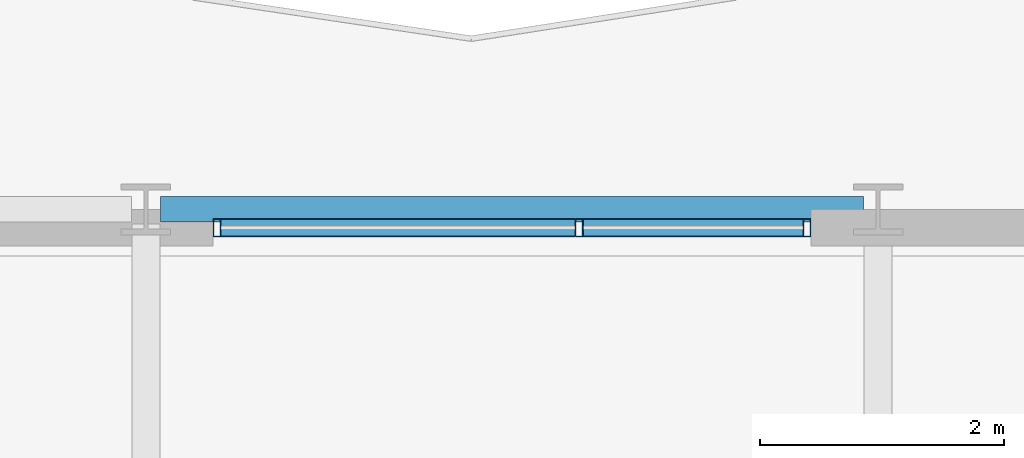
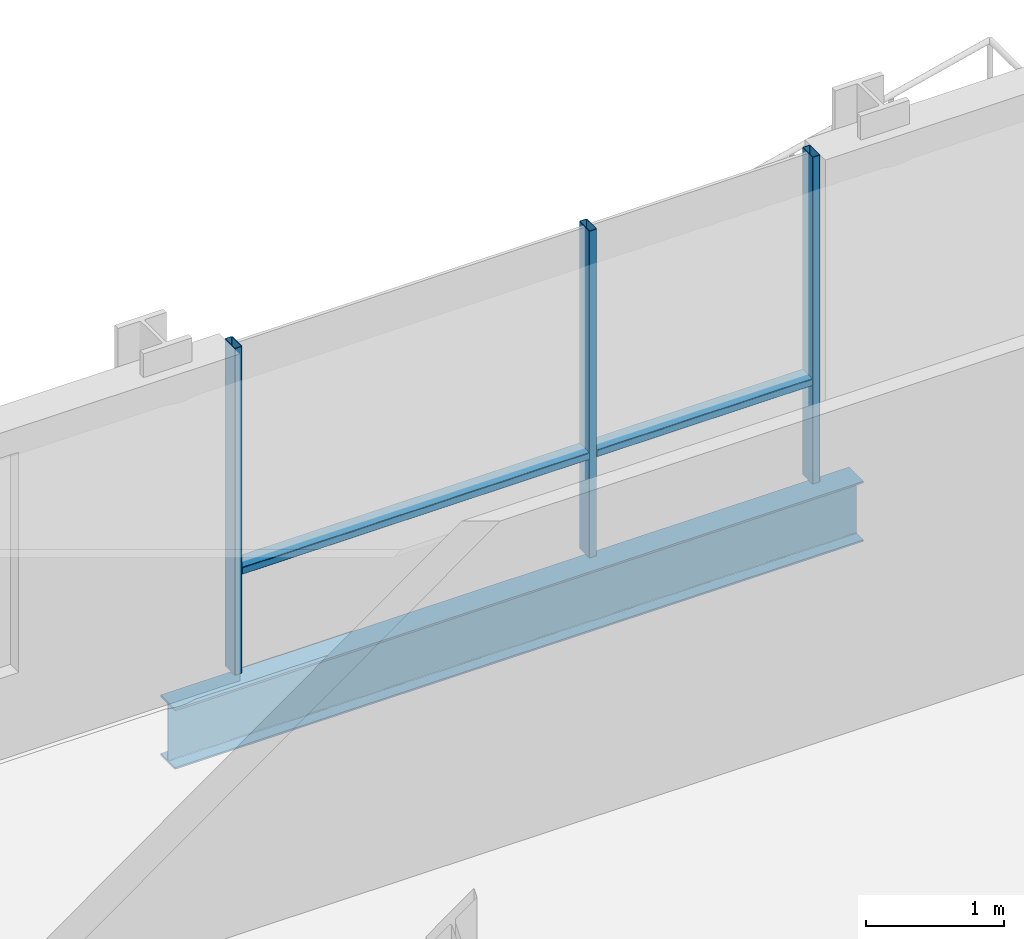
# One storey, part 26 of 41: 5 members, 1 beam, 1 element without a shape of its own.
"""IFC4 building model written with IfcOpenShell, lengths in metres."""

from ifc_helpers import new_model, si_unit, direction, frame, origin, origin_2d, place, context, subcontext, project, spatial, hollow_rectangle, i_section, extrude, material, layer, layer_set, material_profile, profile_set, type_object, element, aggregate, save


model = new_model("IFC4")

# Units and contexts
model_context = context("Model", 3, precision=1e-05, world=origin(), true_north=direction((0.0, 1.0)))
body_context = subcontext(model_context, "Body", "Model", "MODEL_VIEW")
ifc_project = project(units=[si_unit("LENGTHUNIT", "METRE"), si_unit("AREAUNIT", "SQUARE_METRE"), si_unit("VOLUMEUNIT", "CUBIC_METRE"), si_unit("PLANEANGLEUNIT", "RADIAN"), si_unit("MASSUNIT", "GRAM", prefix="KILO")], contexts=[model_context])

# Site, building, storey
site_placement = place(None, origin())
site = spatial("IfcSite", under=ifc_project, at=site_placement, CompositionType="ELEMENT")
building_placement = place(site_placement, origin())
building = spatial("IfcBuilding", under=site, at=building_placement, Name="Brevholm Reach", CompositionType="ELEMENT")
storey_placement = place(building_placement, frame((0.0, 0.0, 169.699951171875)))
storey = spatial("IfcBuildingStorey", under=building, at=storey_placement, Name="L51", CompositionType="ELEMENT", Elevation=169.699951171875)

# Beam
ifc_material_1 = material(Name="Structural Steel S355J2", Category="steel")
ifc_material_profile_1 = material_profile(ifc_material_1, i_section(OverallWidth=0.209228515625, OverallDepth=0.533203125, WebThickness=0.010009765625, FlangeThickness=0.015625, FilletRadius=0.0126953125, at=origin_2d()), Name="UKB 533x210x92")
ifc_profile_set_1 = profile_set([ifc_material_profile_1], Name="Structural Steel S355J2")
beam_type = type_object("IfcBeamType", Name="BM-SP533", PredefinedType="SPANDREL", material=ifc_profile_set_1)
beam_placement = place(storey_placement, frame((48.1201171875, 31.0, -0.486572265625), z_axis=(1.0, 0.0, 0.0), x_axis=(0.0, 1.0, 0.0)))
element("IfcBeam", 1, at=beam_placement, inside=storey, type_object=beam_type, Name="L51 SP-02 Framing Beam", PredefinedType="SPANDREL", context=body_context, shape_type="SweptSolid", body=[
    extrude(i_section(OverallWidth=0.209228515625, OverallDepth=0.533203125, WebThickness=0.010009765625, FlangeThickness=0.015625, FilletRadius=0.0126953125, at=origin_2d()), origin(), (0.0, 0.0, 1.0), 5.759765625),
])

# Curtain wall, members
ifc_material_2 = material(Name="Dark Anodised Aluminium 6063-T6 and Solar-Control Glass", Category="aluminium")
ifc_layer = layer(ifc_material_2, 0.14990234375)
ifc_layer_set = layer_set([ifc_layer], Name="Dark Anodised Aluminium 6063-T6 and Solar-Control Glass")
curtain_wall_type = type_object("IfcCurtainWallType", Name="CW-01", PredefinedType="NOTDEFINED", material=ifc_layer_set)
curtain_wall_placement = place(storey_placement, origin())
curtain_wall = element("IfcCurtainWall", 2, at=curtain_wall_placement, inside=storey, type_object=curtain_wall_type, Name="L51 Curtain Wall CW-01", PredefinedType="NOTDEFINED")
ifc_material_3 = material(Name="Dark Anodised Aluminium 6063-T6", Category="aluminium")
ifc_material_profile_2 = material_profile(ifc_material_3, hollow_rectangle(XDim=0.06494140625, YDim=0.14990234375, WallThickness=0.0048828125, InnerFilletRadius=0.0048828125, OuterFilletRadius=0.010009765625, at=origin_2d()), Name="RHS 150x65x5")
ifc_profile_set_2 = profile_set([ifc_material_profile_2], Name="Dark Anodised Aluminium 6063-T6")
member_type_1 = type_object("IfcMemberType", Name="CWM-150", PredefinedType="MULLION", material=ifc_profile_set_2)
member_1_placement = place(storey_placement, frame((48.58251953125, 30.85009765625, 0.0), z_axis=(0.0, 0.0, 1.0), x_axis=(1.0, 0.0, 0.0)))
member_1 = element("IfcMember", 3, at=member_1_placement, type_object=member_type_1, Name="CM-150 Mullion 1", PredefinedType="MULLION", context=body_context, shape_type="SweptSolid", body=[
    extrude(hollow_rectangle(XDim=0.06494140625, YDim=0.14990234375, WallThickness=0.0048828125, InnerFilletRadius=0.0048828125, OuterFilletRadius=0.010009765625, at=origin_2d()), origin(), (0.0, 0.0, 1.0), 2.89013671875),
])
member_2_placement = place(storey_placement, frame((51.550048828125, 30.85009765625, 0.0), z_axis=(0.0, 0.0, 1.0), x_axis=(1.0, 0.0, 0.0)))
member_2 = element("IfcMember", 4, at=member_2_placement, type_object=member_type_1, Name="CM-150 Mullion 2", PredefinedType="MULLION", context=body_context, shape_type="SweptSolid", body=[
    extrude(hollow_rectangle(XDim=0.06494140625, YDim=0.14990234375, WallThickness=0.0048828125, InnerFilletRadius=0.0048828125, OuterFilletRadius=0.010009765625, at=origin_2d()), origin(), (0.0, 0.0, 1.0), 2.89013671875),
])
member_3_placement = place(storey_placement, frame((53.41748046875, 30.85009765625, 0.0), z_axis=(0.0, 0.0, 1.0), x_axis=(1.0, 0.0, 0.0)))
member_3 = element("IfcMember", 5, at=member_3_placement, type_object=member_type_1, Name="CM-150 Mullion 3", PredefinedType="MULLION", context=body_context, shape_type="SweptSolid", body=[
    extrude(hollow_rectangle(XDim=0.06494140625, YDim=0.14990234375, WallThickness=0.0048828125, InnerFilletRadius=0.0048828125, OuterFilletRadius=0.010009765625, at=origin_2d()), origin(), (0.0, 0.0, 1.0), 2.89013671875),
])
ifc_material_4 = material(Name="Dark Anodised Aluminium 6063-T6", Category="aluminium")
ifc_material_profile_3 = material_profile(ifc_material_4, hollow_rectangle(XDim=0.06494140625, YDim=0.14990234375, WallThickness=0.0048828125, InnerFilletRadius=0.0048828125, OuterFilletRadius=0.010009765625, at=origin_2d()), Name="RHS 150x65x5")
ifc_profile_set_3 = profile_set([ifc_material_profile_3], Name="Dark Anodised Aluminium 6063-T6")
member_type_2 = type_object("IfcMemberType", Name="CWT-150", PredefinedType="NOTDEFINED", material=ifc_profile_set_3)
member_4_placement = place(storey_placement, frame((48.614990234375, 30.85009765625, 0.900146484375), z_axis=(1.0, 0.0, 0.0), x_axis=(0.0, 0.0, 1.0)))
member_4 = element("IfcMember", 6, at=member_4_placement, type_object=member_type_2, Name="CT-150 Transom 1.1", ObjectType="TRANSOM", PredefinedType="USERDEFINED", context=body_context, shape_type="SweptSolid", body=[
    extrude(hollow_rectangle(XDim=0.06494140625, YDim=0.14990234375, WallThickness=0.0048828125, InnerFilletRadius=0.0048828125, OuterFilletRadius=0.010009765625, at=origin_2d()), origin(), (0.0, 0.0, 1.0), 2.902587890625),
])
member_5_placement = place(storey_placement, frame((51.58251953125, 30.85009765625, 0.900146484375), z_axis=(1.0, 0.0, 0.0), x_axis=(0.0, 0.0, 1.0)))
member_5 = element("IfcMember", 7, at=member_5_placement, type_object=member_type_2, Name="CT-150 Transom 2.1", ObjectType="TRANSOM", PredefinedType="USERDEFINED", context=body_context, shape_type="SweptSolid", body=[
    extrude(hollow_rectangle(XDim=0.06494140625, YDim=0.14990234375, WallThickness=0.0048828125, InnerFilletRadius=0.0048828125, OuterFilletRadius=0.010009765625, at=origin_2d()), origin(), (0.0, 0.0, 1.0), 1.802490234375),
])
aggregate(curtain_wall, [member_1, member_2, member_3, member_4, member_5])

save(model, "model.ifc")
